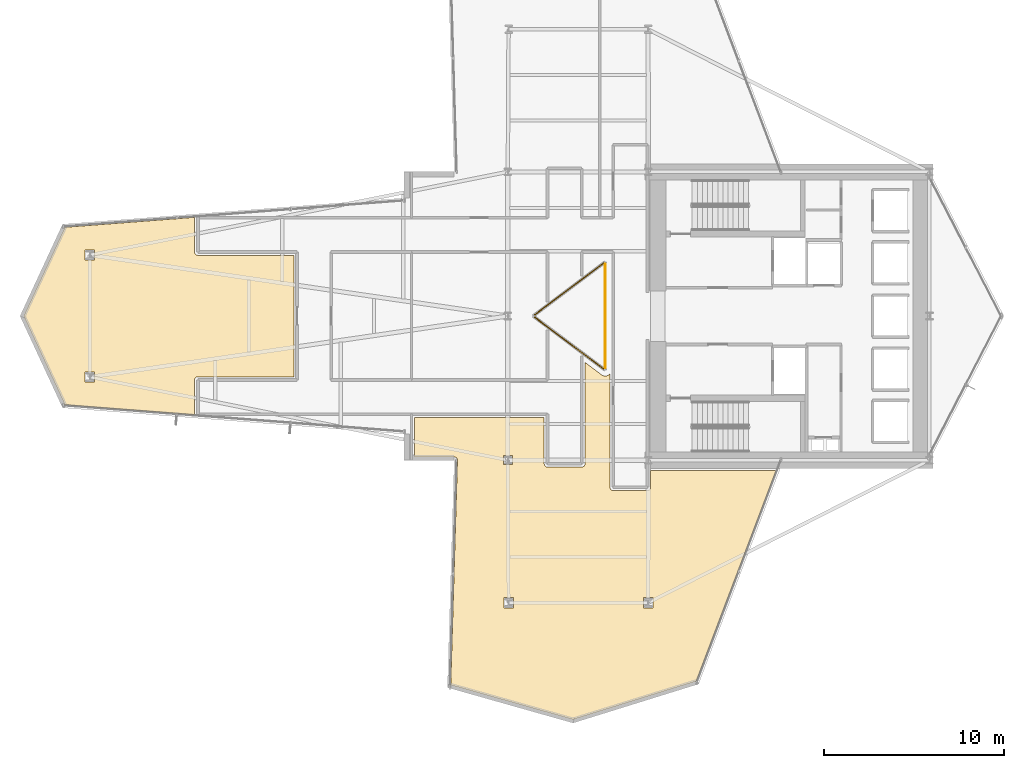
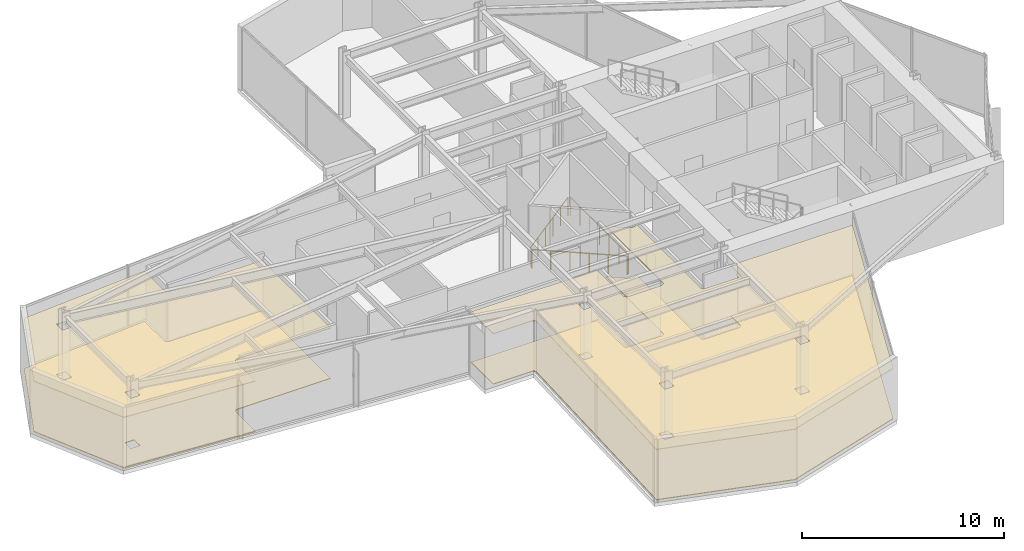
# One storey, part 29 of 30: 4 coverings, 3 railings.
"""IFC4 building model written with IfcOpenShell, lengths in metres."""

from ifc_helpers import new_model, si_unit, direction, frame, origin, origin_2d, place, context, subcontext, project, spatial, polyline, circle, outline, extrude, material, layer, layer_set, type_object, element, save


model = new_model("IFC4")

# Units and contexts
model_context = context("Model", 3, precision=1e-05, world=origin(), true_north=direction((0.0, 1.0)))
body_context = subcontext(model_context, "Body", "Model", "MODEL_VIEW")
ifc_project = project(units=[si_unit("LENGTHUNIT", "METRE"), si_unit("AREAUNIT", "SQUARE_METRE"), si_unit("VOLUMEUNIT", "CUBIC_METRE"), si_unit("PLANEANGLEUNIT", "RADIAN"), si_unit("MASSUNIT", "GRAM", prefix="KILO")], contexts=[model_context])

# Site, building, storey
site_placement = place(None, origin())
site = spatial("IfcSite", under=ifc_project, at=site_placement, CompositionType="ELEMENT")
building_placement = place(site_placement, origin())
building = spatial("IfcBuilding", under=site, at=building_placement, Name="Veymaron Broadcast Tower", CompositionType="ELEMENT")
storey_placement = place(building_placement, frame((0.0, 0.0, 37.800048828125)))
storey = spatial("IfcBuildingStorey", under=building, at=storey_placement, Name="L07", CompositionType="ELEMENT", Elevation=37.800048828125)

# Coverings
ifc_material_1 = material(Name="Perforated acoustic mineral-fibre ceiling tile", Category="gypsum")
ifc_layer_1 = layer(ifc_material_1, 0.0400390625)
ifc_layer_set_1 = layer_set([ifc_layer_1], Name="Perforated acoustic mineral-fibre ceiling tile")
covering_type_1 = type_object("IfcCoveringType", Name="COV-CEIL-ACT", PredefinedType="CEILING", material=ifc_layer_set_1)
covering_1_placement = place(storey_placement, frame((0.0, 0.0, 3.0400390625)))
element("IfcCovering", 1, at=covering_1_placement, inside=storey, type_object=covering_type_1, Name="L07 suspended acoustic ceiling 1", PredefinedType="CEILING", context=body_context, shape_type="SweptSolid", body=[
    extrude(outline(polyline([(28.27734375, 16.172119140625), (28.260009765625, 16.176513671875), (28.2421875, 16.17919921875), (28.22412109375, 16.179931640625), (26.029052734375, 16.179931640625), (26.029052734375, 18.3701171875), (33.219970703125, 18.3701171875), (33.219970703125, 15.800048828125), (33.220947265625, 15.782470703125), (33.223388671875, 15.764892578125), (33.227783203125, 15.747802734375), (33.233642578125, 15.731201171875), (33.2412109375, 15.715087890625), (33.250244140625, 15.699951171875), (33.260986328125, 15.685791015625), (33.272705078125, 15.672607421875), (33.285888671875, 15.660888671875), (33.300048828125, 15.650390625), (33.315185546875, 15.641357421875), (33.3310546875, 15.6337890625), (33.34765625, 15.627685546875), (33.364990234375, 15.62353515625), (33.38232421875, 15.620849609375), (33.39990234375, 15.6201171875), (35.300048828125, 15.6201171875), (35.317626953125, 15.620849609375), (35.335205078125, 15.62353515625), (35.352294921875, 15.627685546875), (35.368896484375, 15.6337890625), (35.385009765625, 15.641357421875), (35.39990234375, 15.650390625), (35.414306640625, 15.660888671875), (35.42724609375, 15.672607421875), (35.439208984375, 15.685791015625), (35.44970703125, 15.699951171875), (35.458740234375, 15.715087890625), (35.46630859375, 15.731201171875), (35.47216796875, 15.747802734375), (35.4765625, 15.764892578125), (35.47900390625, 15.782470703125), (35.47998046875, 15.800048828125), (35.47998046875, 21.427490234375), (36.402099609375, 20.736083984375), (36.4091796875, 20.73095703125), (36.4208984375, 20.722900390625), (36.435791015625, 20.7138671875), (36.448486328125, 20.70703125), (36.464111328125, 20.699462890625), (36.477294921875, 20.693603515625), (36.49365234375, 20.687744140625), (36.50732421875, 20.683349609375), (36.524169921875, 20.678955078125), (36.5380859375, 20.67578125), (36.555419921875, 20.673095703125), (36.569580078125, 20.67138671875), (36.5869140625, 20.67041015625), (36.601318359375, 20.670166015625), (36.61865234375, 20.670654296875), (36.633056640625, 20.671875), (36.650390625, 20.673828125), (36.66455078125, 20.676513671875), (36.681396484375, 20.680419921875), (36.6953125, 20.68408203125), (36.711669921875, 20.689697265625), (36.72509765625, 20.69482421875), (36.740966796875, 20.701904296875), (36.75390625, 20.708251953125), (36.76904296875, 20.716796875), (36.78125, 20.724365234375), (36.79541015625, 20.734375), (36.806884765625, 20.7431640625), (36.820068359375, 20.75439453125), (36.830810546875, 20.76416015625), (36.8427734375, 20.776611328125), (36.852294921875, 20.787353515625), (36.863037109375, 20.801025390625), (36.8701171875, 20.810546875), (36.8701171875, 14.5), (36.870849609375, 14.482421875), (36.87353515625, 14.46484375), (36.877685546875, 14.44775390625), (36.8837890625, 14.43115234375), (36.891357421875, 14.4150390625), (36.900390625, 14.39990234375), (36.910888671875, 14.3857421875), (36.922607421875, 14.372802734375), (36.935791015625, 14.36083984375), (36.949951171875, 14.350341796875), (36.965087890625, 14.34130859375), (36.981201171875, 14.333740234375), (36.997802734375, 14.327880859375), (37.014892578125, 14.323486328125), (37.032470703125, 14.32080078125), (37.050048828125, 14.320068359375), (38.949951171875, 14.320068359375), (38.967529296875, 14.32080078125), (38.985107421875, 14.323486328125), (39.002197265625, 14.327880859375), (39.018798828125, 14.333740234375), (39.034912109375, 14.34130859375), (39.050048828125, 14.350341796875), (39.064208984375, 14.36083984375), (39.077392578125, 14.372802734375), (39.089111328125, 14.3857421875), (39.099609375, 14.39990234375), (39.108642578125, 14.4150390625), (39.1162109375, 14.43115234375), (39.122314453125, 14.44775390625), (39.12646484375, 14.46484375), (39.129150390625, 14.482421875), (39.1298828125, 14.5), (39.1298828125, 15.419921875), (46.084716796875, 15.419921875), (41.657470703125, 3.731689453125), (34.818603515625, 1.606689453125), (28.031494140625, 3.52392578125), (28.404052734375, 15.99462890625), (28.40380859375, 16.0126953125), (28.401611328125, 16.030517578125), (28.397705078125, 16.048095703125), (28.391845703125, 16.065185546875), (28.384521484375, 16.08154296875), (28.37548828125, 16.09716796875), (28.364990234375, 16.11181640625), (28.353271484375, 16.12548828125), (28.340087890625, 16.1376953125), (28.32568359375, 16.1484375), (28.310302734375, 16.157958984375), (28.294189453125, 16.165771484375), (28.27734375, 16.172119140625)]), holes=[polyline([(39.2470703125, 8.376953125), (38.722900390625, 8.376953125), (38.722900390625, 7.802978515625), (39.2470703125, 7.802978515625), (39.2470703125, 8.376953125)]), polyline([(30.97998046875, 8.376953125), (30.97998046875, 7.802978515625), (31.50390625, 7.802978515625), (31.50390625, 8.376953125), (30.97998046875, 8.376953125)]), polyline([(30.949462890625, 16.24951171875), (30.949462890625, 15.75048828125), (31.450439453125, 15.75048828125), (31.450439453125, 16.24951171875), (30.949462890625, 16.24951171875)])]), origin(), (0.0, 0.0, 1.0), 0.039794921875),
])
covering_2_placement = place(storey_placement, frame((0.0, 0.0, 3.0400390625)))
element("IfcCovering", 2, at=covering_2_placement, inside=storey, type_object=covering_type_1, Name="L07 suspended acoustic ceiling 2", PredefinedType="CEILING", context=body_context, shape_type="SweptSolid", body=[
    extrude(outline(polyline([(13.872802734375, 27.422607421875), (13.8857421875, 27.410888671875), (13.89990234375, 27.400390625), (13.9150390625, 27.391357421875), (13.93115234375, 27.3837890625), (13.94775390625, 27.377685546875), (13.96484375, 27.37353515625), (13.982421875, 27.370849609375), (14.0, 27.3701171875), (19.320068359375, 27.3701171875), (19.320068359375, 20.6298828125), (14.0, 20.6298828125), (13.982421875, 20.629150390625), (13.96484375, 20.62646484375), (13.94775390625, 20.622314453125), (13.93115234375, 20.6162109375), (13.9150390625, 20.608642578125), (13.89990234375, 20.599609375), (13.8857421875, 20.589111328125), (13.872802734375, 20.577392578125), (13.86083984375, 20.564208984375), (13.850341796875, 20.550048828125), (13.84130859375, 20.534912109375), (13.833740234375, 20.518798828125), (13.827880859375, 20.502197265625), (13.823486328125, 20.485107421875), (13.82080078125, 20.467529296875), (13.820068359375, 20.449951171875), (13.820068359375, 18.550048828125), (13.82080078125, 18.532470703125), (13.822509765625, 18.52197265625), (12.995849609375, 18.58544921875), (6.618896484375, 19.0751953125), (4.33447265625, 24.0), (6.618896484375, 28.9248046875), (12.995849609375, 29.41455078125), (13.822509765625, 29.47802734375), (13.82080078125, 29.467529296875), (13.820068359375, 29.449951171875), (13.820068359375, 27.550048828125), (13.82080078125, 27.532470703125), (13.823486328125, 27.514892578125), (13.827880859375, 27.497802734375), (13.833740234375, 27.481201171875), (13.84130859375, 27.465087890625), (13.850341796875, 27.449951171875), (13.86083984375, 27.435791015625), (13.872802734375, 27.422607421875)]), holes=[polyline([(7.7451171875, 20.902099609375), (7.7451171875, 20.327880859375), (8.26904296875, 20.327880859375), (8.26904296875, 20.902099609375), (7.7451171875, 20.902099609375)]), polyline([(8.26904296875, 27.672119140625), (7.7451171875, 27.672119140625), (7.7451171875, 27.097900390625), (8.26904296875, 27.097900390625), (8.26904296875, 27.672119140625)])]), origin(), (0.0, 0.0, 1.0), 0.039794921875),
])
ifc_material_2 = material(Name="galvanized steel raised access floor panel", Category="steel")
ifc_layer_2 = layer(ifc_material_2, 0.0400390625)
ifc_layer_set_2 = layer_set([ifc_layer_2], Name="galvanized steel raised access floor panel")
covering_type_2 = type_object("IfcCoveringType", Name="COV-FLR-RAF", PredefinedType="FLOORING", material=ifc_layer_set_2)
covering_3_placement = place(storey_placement, origin())
element("IfcCovering", 3, at=covering_3_placement, inside=storey, type_object=covering_type_2, Name="L07 finished flooring 1", PredefinedType="FLOORING", context=body_context, shape_type="SweptSolid", body=[
    extrude(outline(polyline([(28.27734375, 16.172119140625), (28.260009765625, 16.176513671875), (28.2421875, 16.17919921875), (28.22412109375, 16.179931640625), (26.029052734375, 16.179931640625), (26.029052734375, 18.3701171875), (33.219970703125, 18.3701171875), (33.219970703125, 15.800048828125), (33.220947265625, 15.782470703125), (33.223388671875, 15.764892578125), (33.227783203125, 15.747802734375), (33.233642578125, 15.731201171875), (33.2412109375, 15.715087890625), (33.250244140625, 15.699951171875), (33.260986328125, 15.685791015625), (33.272705078125, 15.672607421875), (33.285888671875, 15.660888671875), (33.300048828125, 15.650390625), (33.315185546875, 15.641357421875), (33.3310546875, 15.6337890625), (33.34765625, 15.627685546875), (33.364990234375, 15.62353515625), (33.38232421875, 15.620849609375), (33.39990234375, 15.6201171875), (35.300048828125, 15.6201171875), (35.317626953125, 15.620849609375), (35.335205078125, 15.62353515625), (35.352294921875, 15.627685546875), (35.368896484375, 15.6337890625), (35.385009765625, 15.641357421875), (35.39990234375, 15.650390625), (35.414306640625, 15.660888671875), (35.42724609375, 15.672607421875), (35.439208984375, 15.685791015625), (35.44970703125, 15.699951171875), (35.458740234375, 15.715087890625), (35.46630859375, 15.731201171875), (35.47216796875, 15.747802734375), (35.4765625, 15.764892578125), (35.47900390625, 15.782470703125), (35.47998046875, 15.800048828125), (35.47998046875, 21.427490234375), (36.402099609375, 20.736083984375), (36.4091796875, 20.73095703125), (36.4208984375, 20.722900390625), (36.435791015625, 20.7138671875), (36.448486328125, 20.70703125), (36.464111328125, 20.699462890625), (36.477294921875, 20.693603515625), (36.49365234375, 20.687744140625), (36.50732421875, 20.683349609375), (36.524169921875, 20.678955078125), (36.5380859375, 20.67578125), (36.555419921875, 20.673095703125), (36.569580078125, 20.67138671875), (36.5869140625, 20.67041015625), (36.601318359375, 20.670166015625), (36.61865234375, 20.670654296875), (36.633056640625, 20.671875), (36.650390625, 20.673828125), (36.66455078125, 20.676513671875), (36.681396484375, 20.680419921875), (36.6953125, 20.68408203125), (36.711669921875, 20.689697265625), (36.72509765625, 20.69482421875), (36.740966796875, 20.701904296875), (36.75390625, 20.708251953125), (36.76904296875, 20.716796875), (36.78125, 20.724365234375), (36.79541015625, 20.734375), (36.806884765625, 20.7431640625), (36.820068359375, 20.75439453125), (36.830810546875, 20.76416015625), (36.8427734375, 20.776611328125), (36.852294921875, 20.787353515625), (36.863037109375, 20.801025390625), (36.8701171875, 20.810546875), (36.8701171875, 14.5), (36.870849609375, 14.482421875), (36.87353515625, 14.46484375), (36.877685546875, 14.44775390625), (36.8837890625, 14.43115234375), (36.891357421875, 14.4150390625), (36.900390625, 14.39990234375), (36.910888671875, 14.3857421875), (36.922607421875, 14.372802734375), (36.935791015625, 14.36083984375), (36.949951171875, 14.350341796875), (36.965087890625, 14.34130859375), (36.981201171875, 14.333740234375), (36.997802734375, 14.327880859375), (37.014892578125, 14.323486328125), (37.032470703125, 14.32080078125), (37.050048828125, 14.320068359375), (38.949951171875, 14.320068359375), (38.967529296875, 14.32080078125), (38.985107421875, 14.323486328125), (39.002197265625, 14.327880859375), (39.018798828125, 14.333740234375), (39.034912109375, 14.34130859375), (39.050048828125, 14.350341796875), (39.064208984375, 14.36083984375), (39.077392578125, 14.372802734375), (39.089111328125, 14.3857421875), (39.099609375, 14.39990234375), (39.108642578125, 14.4150390625), (39.1162109375, 14.43115234375), (39.122314453125, 14.44775390625), (39.12646484375, 14.46484375), (39.129150390625, 14.482421875), (39.1298828125, 14.5), (39.1298828125, 15.419921875), (46.084716796875, 15.419921875), (41.657470703125, 3.731689453125), (34.818603515625, 1.606689453125), (28.031494140625, 3.52392578125), (28.404052734375, 15.99462890625), (28.40380859375, 16.0126953125), (28.401611328125, 16.030517578125), (28.397705078125, 16.048095703125), (28.391845703125, 16.065185546875), (28.384521484375, 16.08154296875), (28.37548828125, 16.09716796875), (28.364990234375, 16.11181640625), (28.353271484375, 16.12548828125), (28.340087890625, 16.1376953125), (28.32568359375, 16.1484375), (28.310302734375, 16.157958984375), (28.294189453125, 16.165771484375), (28.27734375, 16.172119140625)]), holes=[polyline([(39.2470703125, 8.376953125), (38.722900390625, 8.376953125), (38.722900390625, 7.802978515625), (39.2470703125, 7.802978515625), (39.2470703125, 8.376953125)]), polyline([(30.97998046875, 8.376953125), (30.97998046875, 7.802978515625), (31.50390625, 7.802978515625), (31.50390625, 8.376953125), (30.97998046875, 8.376953125)]), polyline([(30.949462890625, 16.24951171875), (30.949462890625, 15.75048828125), (31.450439453125, 15.75048828125), (31.450439453125, 16.24951171875), (30.949462890625, 16.24951171875)])]), origin(), (0.0, 0.0, 1.0), 0.0400390625),
])
covering_4_placement = place(storey_placement, origin())
element("IfcCovering", 4, at=covering_4_placement, inside=storey, type_object=covering_type_2, Name="L07 finished flooring 2", PredefinedType="FLOORING", context=body_context, shape_type="SweptSolid", body=[
    extrude(outline(polyline([(13.872802734375, 27.422607421875), (13.8857421875, 27.410888671875), (13.89990234375, 27.400390625), (13.9150390625, 27.391357421875), (13.93115234375, 27.3837890625), (13.94775390625, 27.377685546875), (13.96484375, 27.37353515625), (13.982421875, 27.370849609375), (14.0, 27.3701171875), (19.320068359375, 27.3701171875), (19.320068359375, 20.6298828125), (14.0, 20.6298828125), (13.982421875, 20.629150390625), (13.96484375, 20.62646484375), (13.94775390625, 20.622314453125), (13.93115234375, 20.6162109375), (13.9150390625, 20.608642578125), (13.89990234375, 20.599609375), (13.8857421875, 20.589111328125), (13.872802734375, 20.577392578125), (13.86083984375, 20.564208984375), (13.850341796875, 20.550048828125), (13.84130859375, 20.534912109375), (13.833740234375, 20.518798828125), (13.827880859375, 20.502197265625), (13.823486328125, 20.485107421875), (13.82080078125, 20.467529296875), (13.820068359375, 20.449951171875), (13.820068359375, 18.550048828125), (13.82080078125, 18.532470703125), (13.822509765625, 18.52197265625), (12.995849609375, 18.58544921875), (6.618896484375, 19.0751953125), (4.33447265625, 24.0), (6.618896484375, 28.9248046875), (12.995849609375, 29.41455078125), (13.822509765625, 29.47802734375), (13.82080078125, 29.467529296875), (13.820068359375, 29.449951171875), (13.820068359375, 27.550048828125), (13.82080078125, 27.532470703125), (13.823486328125, 27.514892578125), (13.827880859375, 27.497802734375), (13.833740234375, 27.481201171875), (13.84130859375, 27.465087890625), (13.850341796875, 27.449951171875), (13.86083984375, 27.435791015625), (13.872802734375, 27.422607421875)]), holes=[polyline([(7.7451171875, 20.902099609375), (7.7451171875, 20.327880859375), (8.26904296875, 20.327880859375), (8.26904296875, 20.902099609375), (7.7451171875, 20.902099609375)]), polyline([(8.26904296875, 27.672119140625), (7.7451171875, 27.672119140625), (7.7451171875, 27.097900390625), (8.26904296875, 27.097900390625), (8.26904296875, 27.672119140625)])]), origin(), (0.0, 0.0, 1.0), 0.0400390625),
])

# Railings
ifc_material_3 = material(Name="Laminated structural glass and stainless handrail", Category="glass")
railing_type = type_object("IfcRailingType", Name="RAIL-ATR-BAL", PredefinedType="BALUSTRADE", material=ifc_material_3)
railing_1_placement = place(storey_placement, frame((32.696044921875, 23.927978515625, 0.0)))
element("IfcRailing", 5, at=railing_1_placement, inside=storey, type_object=railing_type, Name="L07 daylight atrium base glass balustrade 1", PredefinedType="BALUSTRADE", context=body_context, shape_type="SweptSolid", body=[
    extrude(circle(Radius=0.02392578125, at=origin_2d()), frame((0.0, 0.0, 1.1259765625), z_axis=(0.799993844975, -0.600008206612, 0.0), x_axis=(0.600008206612, 0.799993844975, 0.0)), (0.0, 0.0, 1.0), 4.759765625),
    extrude(circle(Radius=0.02099609375, at=origin_2d()), origin(), (0.0, 0.0, 1.0), 1.101806640625),
    extrude(circle(Radius=0.02099609375, at=origin_2d()), frame((0.761474609375, -0.5712890625, 0.0)), (0.0, 0.0, 1.0), 1.101806640625),
    extrude(circle(Radius=0.02099609375, at=origin_2d()), frame((1.523193359375, -1.142333984375, 0.0)), (0.0, 0.0, 1.0), 1.101806640625),
    extrude(circle(Radius=0.02099609375, at=origin_2d()), frame((2.28466796875, -1.713623046875, 0.0)), (0.0, 0.0, 1.0), 1.101806640625),
    extrude(circle(Radius=0.02099609375, at=origin_2d()), frame((3.04638671875, -2.28466796875, 0.0)), (0.0, 0.0, 1.0), 1.101806640625),
    extrude(circle(Radius=0.02099609375, at=origin_2d()), frame((3.807861328125, -2.85595703125, 0.0)), (0.0, 0.0, 1.0), 1.101806640625),
])
railing_2_placement = place(storey_placement, frame((36.60009765625, 21.1201171875, 0.0)))
element("IfcRailing", 6, at=railing_2_placement, inside=storey, type_object=railing_type, Name="L07 daylight atrium base glass balustrade 2", PredefinedType="BALUSTRADE", context=body_context, shape_type="SweptSolid", body=[
    extrude(circle(Radius=0.02392578125, at=origin_2d()), frame((0.0, 0.0, 1.1259765625), z_axis=(0.0, 1.0, 0.0), x_axis=(-1.0, 0.0, 0.0)), (0.0, 0.0, 1.0), 5.759765625),
    extrude(circle(Radius=0.02099609375, at=origin_2d()), origin(), (0.0, 0.0, 1.0), 1.101806640625),
    extrude(circle(Radius=0.02099609375, at=origin_2d()), frame((0.0, 0.9599609375, 0.0)), (0.0, 0.0, 1.0), 1.101806640625),
    extrude(circle(Radius=0.02099609375, at=origin_2d()), frame((0.0, 1.919921875, 0.0)), (0.0, 0.0, 1.0), 1.101806640625),
    extrude(circle(Radius=0.02099609375, at=origin_2d()), frame((0.0, 2.8798828125, 0.0)), (0.0, 0.0, 1.0), 1.101806640625),
    extrude(circle(Radius=0.02099609375, at=origin_2d()), frame((0.0, 3.83984375, 0.0)), (0.0, 0.0, 1.0), 1.101806640625),
    extrude(circle(Radius=0.02099609375, at=origin_2d()), frame((0.0, 4.7998046875, 0.0)), (0.0, 0.0, 1.0), 1.101806640625),
    extrude(circle(Radius=0.02099609375, at=origin_2d()), frame((0.0, 5.759765625, 0.0)), (0.0, 0.0, 1.0), 1.101806640625),
])
railing_3_placement = place(storey_placement, frame((36.50390625, 26.927978515625, 0.0)))
element("IfcRailing", 7, at=railing_3_placement, inside=storey, type_object=railing_type, Name="L07 daylight atrium base glass balustrade 3", PredefinedType="BALUSTRADE", context=body_context, shape_type="SweptSolid", body=[
    extrude(circle(Radius=0.02392578125, at=origin_2d()), frame((0.0, 0.0, 1.1259765625), z_axis=(-0.799993844975, -0.600008206612, 0.0), x_axis=(0.600008206612, -0.799993844975, 0.0)), (0.0, 0.0, 1.0), 4.759765625),
    extrude(circle(Radius=0.02099609375, at=origin_2d()), origin(), (0.0, 0.0, 1.0), 1.101806640625),
    extrude(circle(Radius=0.02099609375, at=origin_2d()), frame((-0.761474609375, -0.5712890625, 0.0)), (0.0, 0.0, 1.0), 1.101806640625),
    extrude(circle(Radius=0.02099609375, at=origin_2d()), frame((-1.523193359375, -1.142333984375, 0.0)), (0.0, 0.0, 1.0), 1.101806640625),
    extrude(circle(Radius=0.02099609375, at=origin_2d()), frame((-2.28466796875, -1.713623046875, 0.0)), (0.0, 0.0, 1.0), 1.101806640625),
    extrude(circle(Radius=0.02099609375, at=origin_2d()), frame((-3.04638671875, -2.28466796875, 0.0)), (0.0, 0.0, 1.0), 1.101806640625),
    extrude(circle(Radius=0.02099609375, at=origin_2d()), frame((-3.807861328125, -2.85595703125, 0.0)), (0.0, 0.0, 1.0), 1.101806640625),
])

save(model, "model.ifc")
